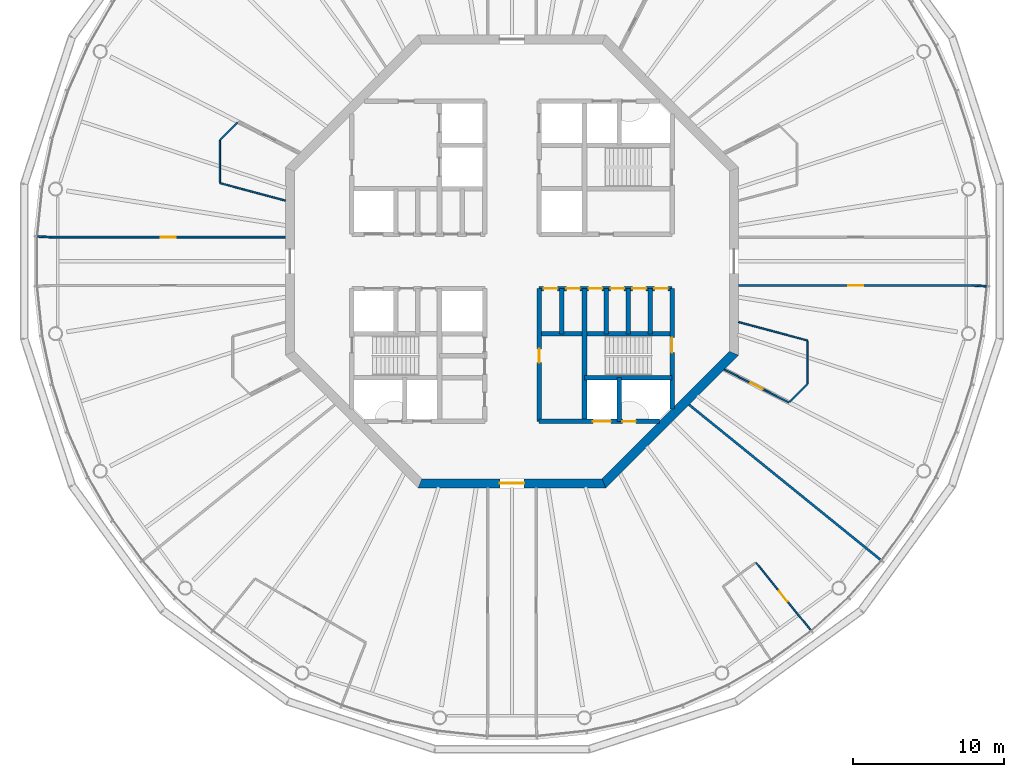
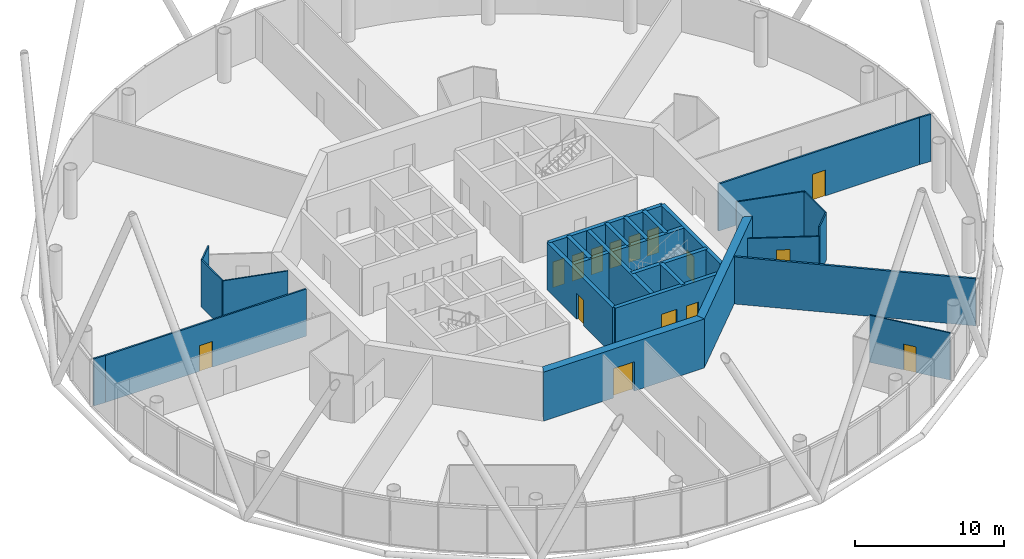
# One storey, part 4 of 13: 27 walls, 15 doors, 15 openings.
"""IFC4 building model written with IfcOpenShell, lengths in metres."""

from ifc_helpers import new_model, si_unit, direction, frame, frame_2d, origin, place, context, subcontext, project, spatial, polyline, rectangle, outline, extrude, material, layer, layer_set, type_object, element, fill, save


model = new_model("IFC4")

# Units and contexts
model_context = context("Model", 3, precision=1e-05, world=origin(), true_north=direction((0.0, 1.0)))
body_context = subcontext(model_context, "Body", "Model", "MODEL_VIEW")
ifc_project = project(units=[si_unit("LENGTHUNIT", "METRE"), si_unit("AREAUNIT", "SQUARE_METRE"), si_unit("VOLUMEUNIT", "CUBIC_METRE"), si_unit("PLANEANGLEUNIT", "RADIAN"), si_unit("MASSUNIT", "GRAM", prefix="KILO")], contexts=[model_context])

# Site, building, storey
site_placement = place(None, origin())
site = spatial("IfcSite", under=ifc_project, at=site_placement, CompositionType="ELEMENT")
building_placement = place(site_placement, origin())
building = spatial("IfcBuilding", under=site, at=building_placement, Name="Entoto Ring Tower", CompositionType="ELEMENT")
storey_placement = place(building_placement, frame((0.0, 0.0, 336.0)))
storey = spatial("IfcBuildingStorey", under=building, at=storey_placement, Name="L77", CompositionType="ELEMENT", Elevation=336.0)

# Wall, opening, door
ifc_material_1 = material(Name="Concrete C40/50", Category="concrete")
ifc_layer_1 = layer(ifc_material_1, 0.300048828125)
ifc_layer_set_1 = layer_set([ifc_layer_1], Name="Concrete C40/50")
wall_type_1 = type_object("IfcWallType", Name="Core enclosure wall 300 mm reinforced concrete", PredefinedType="SOLIDWALL", material=ifc_layer_set_1)
wall_1_placement = place(storey_placement, frame((100.60009765625, 70.2353515625, 0.0), z_axis=(0.0, 0.0, 1.0), x_axis=(0.0, 1.0, 0.0)))
wall_1 = element("IfcWall", 1, at=wall_1_placement, inside=storey, type_object=wall_type_1, Name="wall-L77-001", PredefinedType="SOLIDWALL", context=body_context, shape_type="SweptSolid", body=[
    extrude(rectangle(XDim=7.964599609375, YDim=0.300048828125, at=frame_2d((3.982421875, 0.0))), origin(), (0.0, 0.0, 1.0), 3.85009765625),
])
opening_1_placement = place(wall_1_placement, frame((3.714599609375, 0.0, 0.0)))
opening_1 = element("IfcOpeningElement", 2, at=opening_1_placement, cuts=wall_1, Name="Opening K-31", PredefinedType="OPENING", context=body_context, shape_type="SweptSolid", body=[
    extrude(rectangle(XDim=1.0, YDim=2.10009765625, at=frame_2d((0.5, 1.050048828125))), frame((0.0, 0.16015625, 0.0), z_axis=(0.0, -1.0, 0.0), x_axis=(1.0, 0.0, 0.0)), (0.0, 0.0, 1.0), 0.320068359375),
])
ifc_material_2 = material(Name="Steel door leaf, fire rated", Category="steel")
ifc_layer_2 = layer(ifc_material_2, 0.050048828125)
ifc_layer_set_2 = layer_set([ifc_layer_2], Name="Steel door leaf, fire rated")
door_type_1 = type_object("IfcDoorType", Name="Fire door FD60 1000 x 2100 single leaf", OperationType="NOTDEFINED", PredefinedType="DOOR", material=ifc_layer_set_2)
door_1_placement = place(opening_1_placement, origin())
door_1 = element("IfcDoor", 3, at=door_1_placement, inside=storey, type_object=door_type_1, Name="Door K-31", OperationType="SINGLE_SWING_RIGHT", OverallHeight=2.10009765625, OverallWidth=1.0, PredefinedType="DOOR", context=body_context, shape_type="SweptSolid", body=[
    extrude(rectangle(XDim=1.0, YDim=2.10009765625, at=frame_2d((0.5, 1.050048828125))), frame((0.0, 0.02490234375, 0.0), z_axis=(0.0, -1.0, 0.0), x_axis=(1.0, 0.0, 0.0)), (0.0, 0.0, 1.0), 0.050048828125),
])
fill(opening_1, door_1)

# Walls
for number, where, z_axis, x_axis, name in (
    (4, (99.14990234375, 75.199951171875, 0.0), (0.0, 0.0, 1.0), (0.0, 1.0, 0.0), "wall-L77-003"),
    (5, (97.699951171875, 75.199951171875, 0.0), (0.0, 0.0, 1.0), (0.0, 1.0, 0.0), "wall-L77-004"),
):
    element("IfcWall", number, at=place(storey_placement, frame(where, z_axis=z_axis, x_axis=x_axis)), inside=storey, type_object=wall_type_1, Name=name, PredefinedType="SOLIDWALL", context=body_context, shape_type="SweptSolid", body=[
        extrude(rectangle(XDim=3.0, YDim=0.300048828125, at=frame_2d((1.5, 0.0))), origin(), (0.0, 0.0, 1.0), 3.85009765625),
    ])
wall_2_placement = place(storey_placement, frame((97.10009765625, 69.39990234375, 0.0), z_axis=(0.0, 0.0, 1.0), x_axis=(0.0, 1.0, 0.0)))
element("IfcWall", 6, at=wall_2_placement, inside=storey, type_object=wall_type_1, Name="wall-L77-005", PredefinedType="SOLIDWALL", context=body_context, shape_type="SweptSolid", body=[
    extrude(rectangle(XDim=2.900146484375, YDim=0.300048828125, at=frame_2d((1.4501953125, 0.0))), origin(), (0.0, 0.0, 1.0), 3.85009765625),
])
wall_3_placement = place(storey_placement, frame((96.25, 75.199951171875, 0.0), z_axis=(0.0, 0.0, 1.0), x_axis=(0.0, 1.0, 0.0)))
element("IfcWall", 7, at=wall_3_placement, inside=storey, type_object=wall_type_1, Name="wall-L77-007", PredefinedType="SOLIDWALL", context=body_context, shape_type="SweptSolid", body=[
    extrude(rectangle(XDim=3.0, YDim=0.300048828125, at=frame_2d((1.5, 0.0))), origin(), (0.0, 0.0, 1.0), 3.85009765625),
])
wall_4_placement = place(storey_placement, frame((94.800048828125, 69.39990234375, 0.0), z_axis=(0.0, 0.0, 1.0), x_axis=(0.0, 1.0, 0.0)))
element("IfcWall", 8, at=wall_4_placement, inside=storey, type_object=wall_type_1, Name="wall-L77-008", PredefinedType="SOLIDWALL", context=body_context, shape_type="SweptSolid", body=[
    extrude(rectangle(XDim=8.800048828125, YDim=0.300048828125, at=frame_2d((4.39990234375, 0.0))), origin(), (0.0, 0.0, 1.0), 3.85009765625),
])
wall_5_placement = place(storey_placement, frame((93.300048828125, 75.199951171875, 0.0), z_axis=(0.0, 0.0, 1.0), x_axis=(0.0, 1.0, 0.0)))
element("IfcWall", 9, at=wall_5_placement, inside=storey, type_object=wall_type_1, Name="wall-L77-010", PredefinedType="SOLIDWALL", context=body_context, shape_type="SweptSolid", body=[
    extrude(rectangle(XDim=3.0, YDim=0.300048828125, at=frame_2d((1.5, 0.0))), origin(), (0.0, 0.0, 1.0), 3.85009765625),
])

# Wall, opening, door
wall_6_placement = place(storey_placement, frame((91.800048828125, 69.39990234375, 0.0), z_axis=(0.0, 0.0, 1.0), x_axis=(0.0, 1.0, 0.0)))
wall_6 = element("IfcWall", 10, at=wall_6_placement, inside=storey, type_object=wall_type_1, Name="wall-L77-011", PredefinedType="SOLIDWALL", context=body_context, shape_type="SweptSolid", body=[
    extrude(rectangle(XDim=8.800048828125, YDim=0.300048828125, at=frame_2d((4.39990234375, 0.0))), origin(), (0.0, 0.0, 1.0), 3.85009765625),
])
opening_2_placement = place(wall_6_placement, frame((3.89990234375, 0.0, 0.0)))
opening_2 = element("IfcOpeningElement", 11, at=opening_2_placement, cuts=wall_6, Name="Opening K-21", PredefinedType="OPENING", context=body_context, shape_type="SweptSolid", body=[
    extrude(rectangle(XDim=0.89990234375, YDim=2.10009765625, at=frame_2d((0.449951171875, 1.050048828125))), frame((0.0, 0.16015625, 0.0), z_axis=(0.0, -1.0, 0.0), x_axis=(1.0, 0.0, 0.0)), (0.0, 0.0, 1.0), 0.320068359375),
])
ifc_material_3 = material(Name="Steel door leaf, fire rated", Category="steel")
ifc_layer_3 = layer(ifc_material_3, 0.050048828125)
ifc_layer_set_3 = layer_set([ifc_layer_3], Name="Steel door leaf, fire rated")
door_type_2 = type_object("IfcDoorType", Name="Core door 900 x 2100 single leaf", OperationType="NOTDEFINED", PredefinedType="DOOR", material=ifc_layer_set_3)
door_2_placement = place(opening_2_placement, frame((0.89990234375, 0.0, 0.0), z_axis=(0.0, 0.0, 1.0), x_axis=(-1.0, 0.0, 0.0)))
door_2 = element("IfcDoor", 12, at=door_2_placement, inside=storey, type_object=door_type_2, Name="Door K-21", OperationType="SINGLE_SWING_LEFT", OverallHeight=2.10009765625, OverallWidth=0.89990234375, PredefinedType="DOOR", context=body_context, shape_type="SweptSolid", body=[
    extrude(rectangle(XDim=0.89990234375, YDim=2.10009765625, at=frame_2d((0.449951171875, 1.050048828125))), frame((0.0, 0.02490234375, 0.0), z_axis=(0.0, -1.0, 0.0), x_axis=(1.0, 0.0, 0.0)), (0.0, 0.0, 1.0), 0.050048828125),
])
fill(opening_2, door_2)

# Wall, openings, doors
wall_7_placement = place(storey_placement, frame((91.800048828125, 69.39990234375, 0.0), z_axis=(0.0, 0.0, 1.0), x_axis=(1.0, 0.0, 0.0)))
wall_7 = element("IfcWall", 13, at=wall_7_placement, inside=storey, type_object=wall_type_1, Name="wall-L77-026", PredefinedType="SOLIDWALL", context=body_context, shape_type="SweptSolid", body=[
    extrude(rectangle(XDim=7.964599609375, YDim=0.300048828125, at=frame_2d((3.982421875, 0.0))), origin(), (0.0, 0.0, 1.0), 3.85009765625),
])
opening_3_placement = place(wall_7_placement, frame((3.550048828125, 0.0, 0.0)))
opening_3 = element("IfcOpeningElement", 14, at=opening_3_placement, cuts=wall_7, Name="Opening LD", PredefinedType="OPENING", context=body_context, shape_type="SweptSolid", body=[
    extrude(rectangle(XDim=1.199951171875, YDim=2.10009765625, at=frame_2d((0.60009765625, 1.050048828125))), frame((0.0, 0.16015625, 0.0), z_axis=(0.0, -1.0, 0.0), x_axis=(1.0, 0.0, 0.0)), (0.0, 0.0, 1.0), 0.320068359375),
])
opening_4_placement = place(wall_7_placement, frame((5.5, 0.0, 0.0)))
opening_4 = element("IfcOpeningElement", 15, at=opening_4_placement, cuts=wall_7, Name="Opening K-34", PredefinedType="OPENING", context=body_context, shape_type="SweptSolid", body=[
    extrude(rectangle(XDim=0.89990234375, YDim=2.10009765625, at=frame_2d((0.449951171875, 1.050048828125))), frame((0.0, 0.16015625, 0.0), z_axis=(0.0, -1.0, 0.0), x_axis=(1.0, 0.0, 0.0)), (0.0, 0.0, 1.0), 0.320068359375),
])
ifc_material_4 = material(Name="Steel and glass door leaf", Category="steel")
ifc_layer_4 = layer(ifc_material_4, 0.050048828125)
ifc_layer_set_4 = layer_set([ifc_layer_4], Name="Steel and glass door leaf")
door_type_3 = type_object("IfcDoorType", Name="Landing door 1200 x 2100 sliding", OperationType="DOUBLE_DOOR_SLIDING", PredefinedType="DOOR", material=ifc_layer_set_4)
door_3_placement = place(opening_3_placement, origin())
door_3 = element("IfcDoor", 16, at=door_3_placement, inside=storey, type_object=door_type_3, Name="Landing door LB2-HR", OperationType="SLIDING_TO_RIGHT", OverallHeight=2.10009765625, OverallWidth=1.199951171875, PredefinedType="DOOR", context=body_context, shape_type="SweptSolid", body=[
    extrude(rectangle(XDim=1.199951171875, YDim=2.10009765625, at=frame_2d((0.60009765625, 1.050048828125))), frame((0.0, 0.02490234375, 0.0), z_axis=(0.0, -1.0, 0.0), x_axis=(1.0, 0.0, 0.0)), (0.0, 0.0, 1.0), 0.050048828125),
])
fill(opening_3, door_3)
ifc_material_5 = material(Name="Steel door leaf, fire rated", Category="steel")
ifc_layer_5 = layer(ifc_material_5, 0.050048828125)
ifc_layer_set_5 = layer_set([ifc_layer_5], Name="Steel door leaf, fire rated")
door_type_4 = type_object("IfcDoorType", Name="Riser door FD60 900 x 2100 single leaf", OperationType="NOTDEFINED", PredefinedType="DOOR", material=ifc_layer_set_5)
door_4_placement = place(opening_4_placement, origin())
door_4 = element("IfcDoor", 17, at=door_4_placement, inside=storey, type_object=door_type_4, Name="Door K-34", OperationType="SINGLE_SWING_LEFT", OverallHeight=2.10009765625, OverallWidth=0.89990234375, PredefinedType="DOOR", context=body_context, shape_type="SweptSolid", body=[
    extrude(rectangle(XDim=0.89990234375, YDim=2.10009765625, at=frame_2d((0.449951171875, 1.050048828125))), frame((0.0, 0.02490234375, 0.0), z_axis=(0.0, -1.0, 0.0), x_axis=(1.0, 0.0, 0.0)), (0.0, 0.0, 1.0), 0.050048828125),
])
fill(opening_4, door_4)

# Walls
wall_8_placement = place(storey_placement, frame((94.800048828125, 72.300048828125, 0.0), z_axis=(0.0, 0.0, 1.0), x_axis=(1.0, 0.0, 0.0)))
element("IfcWall", 18, at=wall_8_placement, inside=storey, type_object=wall_type_1, Name="wall-L77-028", PredefinedType="SOLIDWALL", context=body_context, shape_type="SweptSolid", body=[
    extrude(rectangle(XDim=5.800048828125, YDim=0.300048828125, at=frame_2d((2.89990234375, 0.0))), origin(), (0.0, 0.0, 1.0), 3.85009765625),
])
wall_9_placement = place(storey_placement, frame((91.800048828125, 75.199951171875, 0.0), z_axis=(0.0, 0.0, 1.0), x_axis=(1.0, 0.0, 0.0)))
element("IfcWall", 19, at=wall_9_placement, inside=storey, type_object=wall_type_1, Name="wall-L77-031", PredefinedType="SOLIDWALL", context=body_context, shape_type="SweptSolid", body=[
    extrude(rectangle(XDim=8.800048828125, YDim=0.300048828125, at=frame_2d((4.39990234375, 0.0))), origin(), (0.0, 0.0, 1.0), 3.85009765625),
])

# Wall, openings, doors
wall_10_placement = place(storey_placement, frame((91.800048828125, 78.199951171875, 0.0), z_axis=(0.0, 0.0, 1.0), x_axis=(1.0, 0.0, 0.0)))
wall_10 = element("IfcWall", 20, at=wall_10_placement, inside=storey, type_object=wall_type_1, Name="wall-L77-033", PredefinedType="SOLIDWALL", context=body_context, shape_type="SweptSolid", body=[
    extrude(rectangle(XDim=8.800048828125, YDim=0.300048828125, at=frame_2d((4.39990234375, 0.0))), origin(), (0.0, 0.0, 1.0), 3.85009765625),
])
opening_5_placement = place(wall_10_placement, frame((3.27490234375, 0.0, 0.0)))
opening_5 = element("IfcOpeningElement", 21, at=opening_5_placement, cuts=wall_10, Name="Opening K-14", PredefinedType="OPENING", context=body_context, shape_type="SweptSolid", body=[
    extrude(rectangle(XDim=0.89990234375, YDim=2.10009765625, at=frame_2d((0.449951171875, 1.050048828125))), frame((0.0, 0.16015625, 0.0), z_axis=(0.0, -1.0, 0.0), x_axis=(1.0, 0.0, 0.0)), (0.0, 0.0, 1.0), 0.320068359375),
])
opening_6_placement = place(wall_10_placement, frame((4.72509765625, 0.0, 0.0)))
opening_6 = element("IfcOpeningElement", 22, at=opening_6_placement, cuts=wall_10, Name="Opening K-15", PredefinedType="OPENING", context=body_context, shape_type="SweptSolid", body=[
    extrude(rectangle(XDim=0.89990234375, YDim=2.10009765625, at=frame_2d((0.449951171875, 1.050048828125))), frame((0.0, 0.16015625, 0.0), z_axis=(0.0, -1.0, 0.0), x_axis=(1.0, 0.0, 0.0)), (0.0, 0.0, 1.0), 0.320068359375),
])
opening_7_placement = place(wall_10_placement, frame((6.175048828125, 0.0, 0.0)))
opening_7 = element("IfcOpeningElement", 23, at=opening_7_placement, cuts=wall_10, Name="Opening K-16", PredefinedType="OPENING", context=body_context, shape_type="SweptSolid", body=[
    extrude(rectangle(XDim=0.89990234375, YDim=2.10009765625, at=frame_2d((0.449951171875, 1.050048828125))), frame((0.0, 0.16015625, 0.0), z_axis=(0.0, -1.0, 0.0), x_axis=(1.0, 0.0, 0.0)), (0.0, 0.0, 1.0), 0.320068359375),
])
opening_8_placement = place(wall_10_placement, frame((7.625, 0.0, 0.0)))
opening_8 = element("IfcOpeningElement", 24, at=opening_8_placement, cuts=wall_10, Name="Opening K-57", PredefinedType="OPENING", context=body_context, shape_type="SweptSolid", body=[
    extrude(rectangle(XDim=0.89990234375, YDim=2.10009765625, at=frame_2d((0.449951171875, 1.050048828125))), frame((0.0, 0.16015625, 0.0), z_axis=(0.0, -1.0, 0.0), x_axis=(1.0, 0.0, 0.0)), (0.0, 0.0, 1.0), 0.320068359375),
])
opening_9_placement = place(wall_10_placement, frame((0.300048828125, 0.0, 0.0)))
opening_9 = element("IfcOpeningElement", 25, at=opening_9_placement, cuts=wall_10, Name="Opening K-79", PredefinedType="OPENING", context=body_context, shape_type="SweptSolid", body=[
    extrude(rectangle(XDim=0.89990234375, YDim=2.10009765625, at=frame_2d((0.449951171875, 1.050048828125))), frame((0.0, 0.16015625, 0.0), z_axis=(0.0, -1.0, 0.0), x_axis=(1.0, 0.0, 0.0)), (0.0, 0.0, 1.0), 0.320068359375),
])
opening_10_placement = place(wall_10_placement, frame((1.800048828125, 0.0, 0.0)))
opening_10 = element("IfcOpeningElement", 26, at=opening_10_placement, cuts=wall_10, Name="Opening K-81", PredefinedType="OPENING", context=body_context, shape_type="SweptSolid", body=[
    extrude(rectangle(XDim=0.89990234375, YDim=2.10009765625, at=frame_2d((0.449951171875, 1.050048828125))), frame((0.0, 0.16015625, 0.0), z_axis=(0.0, -1.0, 0.0), x_axis=(1.0, 0.0, 0.0)), (0.0, 0.0, 1.0), 0.320068359375),
])
door_5_placement = place(opening_5_placement, frame((0.89990234375, 0.0, 0.0), z_axis=(0.0, 0.0, 1.0), x_axis=(-1.0, 0.0, 0.0)))
door_5 = element("IfcDoor", 27, at=door_5_placement, inside=storey, type_object=door_type_2, Name="Door K-14", OperationType="SINGLE_SWING_LEFT", OverallHeight=2.10009765625, OverallWidth=0.89990234375, PredefinedType="DOOR", context=body_context, shape_type="SweptSolid", body=[
    extrude(rectangle(XDim=0.89990234375, YDim=2.10009765625, at=frame_2d((0.449951171875, 1.050048828125))), frame((0.0, 0.02490234375, 0.0), z_axis=(0.0, -1.0, 0.0), x_axis=(1.0, 0.0, 0.0)), (0.0, 0.0, 1.0), 0.050048828125),
])
fill(opening_5, door_5)
door_6_placement = place(opening_6_placement, frame((0.89990234375, 0.0, 0.0), z_axis=(0.0, 0.0, 1.0), x_axis=(-1.0, 0.0, 0.0)))
door_6 = element("IfcDoor", 28, at=door_6_placement, inside=storey, type_object=door_type_2, Name="Door K-15", OperationType="SINGLE_SWING_RIGHT", OverallHeight=2.10009765625, OverallWidth=0.89990234375, PredefinedType="DOOR", context=body_context, shape_type="SweptSolid", body=[
    extrude(rectangle(XDim=0.89990234375, YDim=2.10009765625, at=frame_2d((0.449951171875, 1.050048828125))), frame((0.0, 0.02490234375, 0.0), z_axis=(0.0, -1.0, 0.0), x_axis=(1.0, 0.0, 0.0)), (0.0, 0.0, 1.0), 0.050048828125),
])
fill(opening_6, door_6)
door_7_placement = place(opening_7_placement, frame((0.89990234375, 0.0, 0.0), z_axis=(0.0, 0.0, 1.0), x_axis=(-1.0, 0.0, 0.0)))
door_7 = element("IfcDoor", 29, at=door_7_placement, inside=storey, type_object=door_type_2, Name="Door K-16", OperationType="SINGLE_SWING_RIGHT", OverallHeight=2.10009765625, OverallWidth=0.89990234375, PredefinedType="DOOR", context=body_context, shape_type="SweptSolid", body=[
    extrude(rectangle(XDim=0.89990234375, YDim=2.10009765625, at=frame_2d((0.449951171875, 1.050048828125))), frame((0.0, 0.02490234375, 0.0), z_axis=(0.0, -1.0, 0.0), x_axis=(1.0, 0.0, 0.0)), (0.0, 0.0, 1.0), 0.050048828125),
])
fill(opening_7, door_7)
door_8_placement = place(opening_8_placement, frame((0.89990234375, 0.0, 0.0), z_axis=(0.0, 0.0, 1.0), x_axis=(-1.0, 0.0, 0.0)))
door_8 = element("IfcDoor", 30, at=door_8_placement, inside=storey, type_object=door_type_2, Name="Door K-57", OperationType="SINGLE_SWING_RIGHT", OverallHeight=2.10009765625, OverallWidth=0.89990234375, PredefinedType="DOOR", context=body_context, shape_type="SweptSolid", body=[
    extrude(rectangle(XDim=0.89990234375, YDim=2.10009765625, at=frame_2d((0.449951171875, 1.050048828125))), frame((0.0, 0.02490234375, 0.0), z_axis=(0.0, -1.0, 0.0), x_axis=(1.0, 0.0, 0.0)), (0.0, 0.0, 1.0), 0.050048828125),
])
fill(opening_8, door_8)
door_9_placement = place(opening_9_placement, frame((0.89990234375, 0.0, 0.0), z_axis=(0.0, 0.0, 1.0), x_axis=(-1.0, 0.0, 0.0)))
door_9 = element("IfcDoor", 31, at=door_9_placement, inside=storey, type_object=door_type_2, Name="Door K-79", OperationType="SINGLE_SWING_RIGHT", OverallHeight=2.10009765625, OverallWidth=0.89990234375, PredefinedType="DOOR", context=body_context, shape_type="SweptSolid", body=[
    extrude(rectangle(XDim=0.89990234375, YDim=2.10009765625, at=frame_2d((0.449951171875, 1.050048828125))), frame((0.0, 0.02490234375, 0.0), z_axis=(0.0, -1.0, 0.0), x_axis=(1.0, 0.0, 0.0)), (0.0, 0.0, 1.0), 0.050048828125),
])
fill(opening_9, door_9)
door_10_placement = place(opening_10_placement, frame((0.89990234375, 0.0, 0.0), z_axis=(0.0, 0.0, 1.0), x_axis=(-1.0, 0.0, 0.0)))
door_10 = element("IfcDoor", 32, at=door_10_placement, inside=storey, type_object=door_type_2, Name="Door K-81", OperationType="SINGLE_SWING_RIGHT", OverallHeight=2.10009765625, OverallWidth=0.89990234375, PredefinedType="DOOR", context=body_context, shape_type="SweptSolid", body=[
    extrude(rectangle(XDim=0.89990234375, YDim=2.10009765625, at=frame_2d((0.449951171875, 1.050048828125))), frame((0.0, 0.02490234375, 0.0), z_axis=(0.0, -1.0, 0.0), x_axis=(1.0, 0.0, 0.0)), (0.0, 0.0, 1.0), 0.050048828125),
])
fill(opening_10, door_10)

# Wall, opening, door
ifc_material_6 = material(Name="Concrete C40/50", Category="concrete")
ifc_layer_6 = layer(ifc_material_6, 0.60009765625)
ifc_layer_set_6 = layer_set([ifc_layer_6], Name="Concrete C40/50")
wall_type_2 = type_object("IfcWallType", Name="Core shear wall 600 mm reinforced concrete C40/50", PredefinedType="SHEAR", material=ifc_layer_set_6)
wall_11_placement = place(storey_placement, frame((83.9111328125, 65.300048828125, 0.0), z_axis=(0.0, 0.0, 1.0), x_axis=(1.0, 0.0, 0.0)))
wall_11 = element("IfcWall", 33, at=wall_11_placement, inside=storey, type_object=wall_type_2, Name="wall-L77-core-6", PredefinedType="SHEAR", context=body_context, shape_type="SweptSolid", body=[
    extrude(outline(polyline([(-0.124267578125, -0.300048828125), (12.302001953125, -0.300048828125), (12.053466796875, 0.300048828125), (0.124267578125, 0.300048828125), (-0.124267578125, -0.300048828125)])), origin(), (0.0, 0.0, 1.0), 4.0),
])
opening_11_placement = place(wall_11_placement, frame((5.288818359375, 0.0, 0.0)))
opening_11 = element("IfcOpeningElement", 34, at=opening_11_placement, cuts=wall_11, Name="Opening K-04", PredefinedType="OPENING", context=body_context, shape_type="SweptSolid", body=[
    extrude(rectangle(XDim=1.60009765625, YDim=2.39990234375, at=frame_2d((0.800048828125, 1.199951171875))), frame((0.0, 0.31005859375, 0.0), z_axis=(0.0, -1.0, 0.0), x_axis=(1.0, 0.0, 0.0)), (0.0, 0.0, 1.0), 0.6201171875),
])
ifc_material_7 = material(Name="Steel door leaf, fire rated", Category="steel")
ifc_layer_7 = layer(ifc_material_7, 0.050048828125)
ifc_layer_set_7 = layer_set([ifc_layer_7], Name="Steel door leaf, fire rated")
door_type_5 = type_object("IfcDoorType", Name="Entrance door FD60 1600 x 2400 double leaf", OperationType="DOUBLE_DOOR_SINGLE_SWING", PredefinedType="DOOR", material=ifc_layer_set_7)
door_11_placement = place(opening_11_placement, origin())
door_11 = element("IfcDoor", 35, at=door_11_placement, inside=storey, type_object=door_type_5, Name="Entrance door K-04", OperationType="DOUBLE_DOOR_SINGLE_SWING", OverallHeight=2.39990234375, OverallWidth=1.60009765625, PredefinedType="DOOR", context=body_context, shape_type="SweptSolid", body=[
    extrude(rectangle(XDim=1.60009765625, YDim=2.39990234375, at=frame_2d((0.800048828125, 1.199951171875))), frame((0.0, 0.02490234375, 0.0), z_axis=(0.0, -1.0, 0.0), x_axis=(1.0, 0.0, 0.0)), (0.0, 0.0, 1.0), 0.050048828125),
])
fill(opening_11, door_11)

# Wall
wall_12_placement = place(storey_placement, frame((96.0888671875, 65.300048828125, 0.0), z_axis=(0.0, 0.0, 1.0), x_axis=(0.707106781187, 0.707106781187, 0.0)))
element("IfcWall", 36, at=wall_12_placement, inside=storey, type_object=wall_type_2, Name="wall-L77-core-7", PredefinedType="SHEAR", context=body_context, shape_type="SweptSolid", body=[
    extrude(outline(polyline([(-0.124267578125, -0.300048828125), (12.30224609375, -0.300048828125), (12.0537109375, 0.300048828125), (0.124267578125, 0.300048828125), (-0.124267578125, -0.300048828125)])), origin(), (0.0, 0.0, 1.0), 4.0),
])

# Wall, opening, door
ifc_material_8 = material(Name="Fire-resisting plasterboard on steel studs", Category="steel")
ifc_layer_8 = layer(ifc_material_8, 0.125)
ifc_layer_set_8 = layer_set([ifc_layer_8], Name="Fire-resisting plasterboard on steel studs")
wall_type_3 = type_object("IfcWallType", Name="Corridor wall 125 mm one-hour plasterboard on steel studs", PredefinedType="PARTITIONING", material=ifc_layer_set_8)
wall_13_placement = place(storey_placement, frame((59.47021484375, 81.60009765625, 0.0), z_axis=(0.0, 0.0, 1.0), x_axis=(1.0, 0.0, 0.0)))
wall_13 = element("IfcWall", 37, at=wall_13_placement, inside=storey, type_object=wall_type_3, Name="partition-L77-002", PredefinedType="PARTITIONING", context=body_context, shape_type="SweptSolid", body=[
    extrude(rectangle(XDim=15.52978515625, YDim=0.125, at=frame_2d((7.764892578125, 0.0))), origin(), (0.0, 0.0, 1.0), 3.85009765625),
])
opening_12_placement = place(wall_13_placement, frame((7.264892578125, 0.0, 0.0)))
opening_12 = element("IfcOpeningElement", 38, at=opening_12_placement, cuts=wall_13, Name="Opening A34-D06", PredefinedType="OPENING", context=body_context, shape_type="SweptSolid", body=[
    extrude(rectangle(XDim=1.0, YDim=2.10009765625, at=frame_2d((0.5, 1.050048828125))), frame((0.0, 0.072509765625, 0.0), z_axis=(0.0, -1.0, 0.0), x_axis=(1.0, 0.0, 0.0)), (0.0, 0.0, 1.0), 0.14501953125),
])
ifc_material_9 = material(Name="Fire-resisting timber door set", Category="wood")
door_type_6 = type_object("IfcDoorType", Name="Door 1000 x 2100 single leaf FD30S fire door", OperationType="NOTDEFINED", PredefinedType="DOOR", material=ifc_material_9)
door_12_placement = place(opening_12_placement, origin())
door_12 = element("IfcDoor", 39, at=door_12_placement, inside=storey, type_object=door_type_6, Name="Door A34-D06", OperationType="SINGLE_SWING_RIGHT", OverallHeight=2.10009765625, OverallWidth=1.0, PredefinedType="DOOR", context=body_context, shape_type="SweptSolid", body=[
    extrude(rectangle(XDim=1.0, YDim=2.10009765625, at=frame_2d((0.5, 1.050048828125))), frame((0.0, 0.02490234375, 0.0), z_axis=(0.0, -1.0, 0.0), x_axis=(1.0, 0.0, 0.0)), (0.0, 0.0, 1.0), 0.050048828125),
])
fill(opening_12, door_12)

wall_14_placement = place(storey_placement, frame((105.0, 78.39990234375, 0.0), z_axis=(0.0, 0.0, 1.0), x_axis=(1.0, 0.0, 0.0)))
wall_14 = element("IfcWall", 40, at=wall_14_placement, inside=storey, type_object=wall_type_3, Name="partition-L77-007", PredefinedType="PARTITIONING", context=body_context, shape_type="SweptSolid", body=[
    extrude(rectangle(XDim=15.52978515625, YDim=0.125, at=frame_2d((7.764892578125, 0.0))), origin(), (0.0, 0.0, 1.0), 3.85009765625),
])
opening_13_placement = place(wall_14_placement, frame((7.264892578125, 0.0, 0.0)))
opening_13 = element("IfcOpeningElement", 41, at=opening_13_placement, cuts=wall_14, Name="Opening A34-D14", PredefinedType="OPENING", context=body_context, shape_type="SweptSolid", body=[
    extrude(rectangle(XDim=1.0, YDim=2.10009765625, at=frame_2d((0.5, 1.050048828125))), frame((0.0, 0.072509765625, 0.0), z_axis=(0.0, -1.0, 0.0), x_axis=(1.0, 0.0, 0.0)), (0.0, 0.0, 1.0), 0.14501953125),
])
door_13_placement = place(opening_13_placement, frame((1.0, 0.0, 0.0), z_axis=(0.0, 0.0, 1.0), x_axis=(-1.0, 0.0, 0.0)))
door_13 = element("IfcDoor", 42, at=door_13_placement, inside=storey, type_object=door_type_6, Name="Door A34-D14", OperationType="SINGLE_SWING_RIGHT", OverallHeight=2.10009765625, OverallWidth=1.0, PredefinedType="DOOR", context=body_context, shape_type="SweptSolid", body=[
    extrude(rectangle(XDim=1.0, YDim=2.10009765625, at=frame_2d((0.5, 1.050048828125))), frame((0.0, 0.02490234375, 0.0), z_axis=(0.0, -1.0, 0.0), x_axis=(1.0, 0.0, 0.0)), (0.0, 0.0, 1.0), 0.050048828125),
])
fill(opening_13, door_13)

# Walls
for number, where, z_axis, x_axis, name in (
    (43, (59.466796875, 81.60009765625, 0.0), (0.0, 0.0, 1.0), (-0.998620946423, 0.052499574911, 0.0), "partition-L77-010"),
    (44, (121.39697265625, 78.3544921875, 0.0), (0.0, 0.0, 1.0), (-0.998620946423, 0.052499574911, 0.0), "partition-L77-016"),
):
    element("IfcWall", number, at=place(storey_placement, frame(where, z_axis=z_axis, x_axis=x_axis)), inside=storey, type_object=wall_type_3, Name=name, PredefinedType="PARTITIONING", context=body_context, shape_type="SweptSolid", body=[
        extrude(rectangle(XDim=0.864990234375, YDim=0.125, at=frame_2d((0.4326171875, 0.0))), origin(), (0.0, 0.0, 1.0), 3.85009765625),
    ])

# Wall, opening, door
ifc_material_10 = material(Name="Plasterboard on steel studs", Category="steel")
ifc_layer_9 = layer(ifc_material_10, 0.10009765625)
ifc_layer_set_9 = layer_set([ifc_layer_9], Name="Plasterboard on steel studs")
wall_type_4 = type_object("IfcWallType", Name="Partition 100 mm plasterboard on steel studs", PredefinedType="PARTITIONING", material=ifc_layer_set_9)
wall_15_placement = place(storey_placement, frame((109.785888671875, 55.56640625, 0.0), z_axis=(0.0, 0.0, 1.0), x_axis=(-0.629314869916, 0.77715043235, 0.0)))
wall_15 = element("IfcWall", 45, at=wall_15_placement, inside=storey, type_object=wall_type_4, Name="partition-L77-022", PredefinedType="PARTITIONING", context=body_context, shape_type="SweptSolid", body=[
    extrude(rectangle(XDim=5.780029296875, YDim=0.10009765625, at=frame_2d((2.89013671875, 0.0))), origin(), (0.0, 0.0, 1.0), 3.85009765625),
])
opening_14_placement = place(wall_15_placement, frame((2.43994140625, 0.0, 0.0)))
opening_14 = element("IfcOpeningElement", 46, at=opening_14_placement, cuts=wall_15, Name="Opening A34-D13", PredefinedType="OPENING", context=body_context, shape_type="SweptSolid", body=[
    extrude(rectangle(XDim=0.89990234375, YDim=2.10009765625, at=frame_2d((0.449951171875, 1.050048828125))), frame((0.0, 0.06005859375, 0.0), z_axis=(0.0, -1.0, 0.0), x_axis=(1.0, 0.0, 0.0)), (0.0, 0.0, 1.0), 0.1201171875),
])
ifc_material_11 = material(Name="Veneered timber door leaf in timber frame", Category="wood")
door_type_7 = type_object("IfcDoorType", Name="Door 900 x 2100 single leaf timber veneer", OperationType="NOTDEFINED", PredefinedType="DOOR", material=ifc_material_11)
door_14_placement = place(opening_14_placement, origin())
door_14 = element("IfcDoor", 47, at=door_14_placement, inside=storey, type_object=door_type_7, Name="Door A34-D13", OperationType="SINGLE_SWING_LEFT", OverallHeight=2.10009765625, OverallWidth=0.89990234375, PredefinedType="DOOR", context=body_context, shape_type="SweptSolid", body=[
    extrude(rectangle(XDim=0.89990234375, YDim=2.10009765625, at=frame_2d((0.449951171875, 1.050048828125))), frame((0.0, 0.02490234375, 0.0), z_axis=(0.0, -1.0, 0.0), x_axis=(1.0, 0.0, 0.0)), (0.0, 0.0, 1.0), 0.050048828125),
])
fill(opening_14, door_14)

# Walls
wall_16_placement = place(storey_placement, frame((109.580078125, 74.753662109375, 0.0), z_axis=(0.0, 0.0, 1.0), x_axis=(-0.965935181868, 0.258784127083, 0.0)))
element("IfcWall", 48, at=wall_16_placement, inside=storey, type_object=wall_type_4, Name="partition-L77-025", PredefinedType="PARTITIONING", context=body_context, shape_type="SweptSolid", body=[
    extrude(rectangle(XDim=4.74169921875, YDim=0.10009765625, at=frame_2d((2.370849609375, 0.0))), origin(), (0.0, 0.0, 1.0), 3.85009765625),
])
wall_17_placement = place(storey_placement, frame((75.0, 84.019287109375, 0.0), z_axis=(0.0, 0.0, 1.0), x_axis=(-0.965930145555, 0.258802924845, 0.0)))
element("IfcWall", 49, at=wall_17_placement, inside=storey, type_object=wall_type_4, Name="partition-L77-027", PredefinedType="PARTITIONING", context=body_context, shape_type="SweptSolid", body=[
    extrude(rectangle(XDim=4.50341796875, YDim=0.10009765625, at=frame_2d((2.251708984375, 0.0))), origin(), (0.0, 0.0, 1.0), 3.85009765625),
])
wall_18_placement = place(storey_placement, frame((109.580078125, 71.8896484375, 0.0), z_axis=(0.0, 0.0, 1.0), x_axis=(0.0, 1.0, 0.0)))
element("IfcWall", 50, at=wall_18_placement, inside=storey, type_object=wall_type_4, Name="partition-L77-036", PredefinedType="PARTITIONING", context=body_context, shape_type="SweptSolid", body=[
    extrude(rectangle(XDim=2.815673828125, YDim=0.10009765625, at=frame_2d((1.40771484375, 0.0))), origin(), (0.0, 0.0, 1.0), 3.85009765625),
])
wall_19_placement = place(storey_placement, frame((70.64990234375, 85.23291015625, 0.0), z_axis=(0.0, 0.0, 1.0), x_axis=(0.0, 1.0, 0.0)))
element("IfcWall", 51, at=wall_19_placement, inside=storey, type_object=wall_type_4, Name="partition-L77-037", PredefinedType="PARTITIONING", context=body_context, shape_type="SweptSolid", body=[
    extrude(rectangle(XDim=2.781982421875, YDim=0.10009765625, at=frame_2d((1.39111328125, 0.0))), origin(), (0.0, 0.0, 1.0), 3.85009765625),
])
wall_20_placement = place(storey_placement, frame((108.377197265625, 70.68701171875, 0.0), z_axis=(0.0, 0.0, 1.0), x_axis=(0.707106781187, 0.707106781187, 0.0)))
element("IfcWall", 52, at=wall_20_placement, inside=storey, type_object=wall_type_4, Name="partition-L77-042", PredefinedType="PARTITIONING", context=body_context, shape_type="SweptSolid", body=[
    extrude(rectangle(XDim=1.666015625, YDim=0.10009765625, at=frame_2d((0.8330078125, 0.0))), origin(), (0.0, 0.0, 1.0), 3.85009765625),
])
wall_21_placement = place(storey_placement, frame((70.6748046875, 88.039794921875, 0.0), z_axis=(0.0, 0.0, 1.0), x_axis=(0.707032587096, 0.707180967493, 0.0)))
element("IfcWall", 53, at=wall_21_placement, inside=storey, type_object=wall_type_4, Name="partition-L77-043", PredefinedType="PARTITIONING", context=body_context, shape_type="SweptSolid", body=[
    extrude(rectangle(XDim=1.645263671875, YDim=0.10009765625, at=frame_2d((0.82275390625, 0.0))), origin(), (0.0, 0.0, 1.0), 3.85009765625),
])

# Wall, opening, door
ifc_material_12 = material(Name="Plasterboard on steel studs", Category="steel")
ifc_layer_10 = layer(ifc_material_12, 0.10009765625)
ifc_layer_set_10 = layer_set([ifc_layer_10], Name="Plasterboard on steel studs")
wall_type_5 = type_object("IfcWallType", Name="Partition 100 mm plasterboard on steel studs, 3097 mm high", PredefinedType="PARTITIONING", material=ifc_layer_set_10)
wall_22_placement = place(storey_placement, frame((108.34375, 70.6533203125, 0.0), z_axis=(0.0, 0.0, 1.0), x_axis=(-0.891004673891, 0.453994131135, 0.0)))
wall_22 = element("IfcWall", 54, at=wall_22_placement, inside=storey, type_object=wall_type_5, Name="partition-L77-024", PredefinedType="PARTITIONING", context=body_context, shape_type="SweptSolid", body=[
    extrude(rectangle(XDim=4.815673828125, YDim=0.10009765625, at=frame_2d((2.40771484375, 0.0))), origin(), (0.0, 0.0, 1.0), 3.096923828125),
])
opening_15_placement = place(wall_22_placement, frame((1.957763671875, 0.0, 0.0)))
opening_15 = element("IfcOpeningElement", 55, at=opening_15_placement, cuts=wall_22, Name="Opening A34-D15", PredefinedType="OPENING", context=body_context, shape_type="SweptSolid", body=[
    extrude(rectangle(XDim=0.89990234375, YDim=2.10009765625, at=frame_2d((0.449951171875, 1.050048828125))), frame((0.0, 0.06005859375, 0.0), z_axis=(0.0, -1.0, 0.0), x_axis=(1.0, 0.0, 0.0)), (0.0, 0.0, 1.0), 0.1201171875),
])
door_15_placement = place(opening_15_placement, frame((0.89990234375, 0.0, 0.0), z_axis=(0.0, 0.0, 1.0), x_axis=(-1.0, 0.0, 0.0)))
door_15 = element("IfcDoor", 56, at=door_15_placement, inside=storey, type_object=door_type_7, Name="Door A34-D15", OperationType="SINGLE_SWING_LEFT", OverallHeight=2.10009765625, OverallWidth=0.89990234375, PredefinedType="DOOR", context=body_context, shape_type="SweptSolid", body=[
    extrude(rectangle(XDim=0.89990234375, YDim=2.10009765625, at=frame_2d((0.449951171875, 1.050048828125))), frame((0.0, 0.02490234375, 0.0), z_axis=(0.0, -1.0, 0.0), x_axis=(1.0, 0.0, 0.0)), (0.0, 0.0, 1.0), 0.050048828125),
])
fill(opening_15, door_15)

# Wall
ifc_material_13 = material(Name="Fire-resisting acoustic plasterboard on steel studs", Category="steel")
ifc_layer_11 = layer(ifc_material_13, 0.14990234375)
ifc_layer_set_11 = layer_set([ifc_layer_11], Name="Fire-resisting acoustic plasterboard on steel studs")
wall_type_6 = type_object("IfcWallType", Name="Party wall 150 mm one-hour acoustic plasterboard on steel studs", PredefinedType="PARTITIONING", material=ifc_layer_set_11)
wall_23_placement = place(storey_placement, frame((114.43359375, 60.214111328125, 0.0), z_axis=(0.0, 0.0, 1.0), x_axis=(-0.777143368827, 0.629323592667, 0.0)))
element("IfcWall", 57, at=wall_23_placement, inside=storey, type_object=wall_type_6, Name="partition-L77-019", PredefinedType="PARTITIONING", context=body_context, shape_type="SweptSolid", body=[
    extrude(rectangle(XDim=16.357666015625, YDim=0.14990234375, at=frame_2d((8.1787109375, 0.0))), origin(), (0.0, 0.0, 1.0), 3.85009765625),
])

save(model, "model.ifc")
